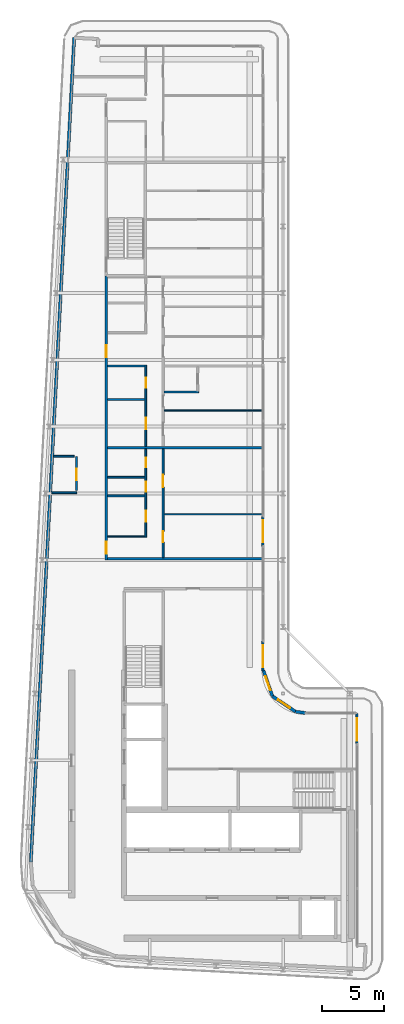
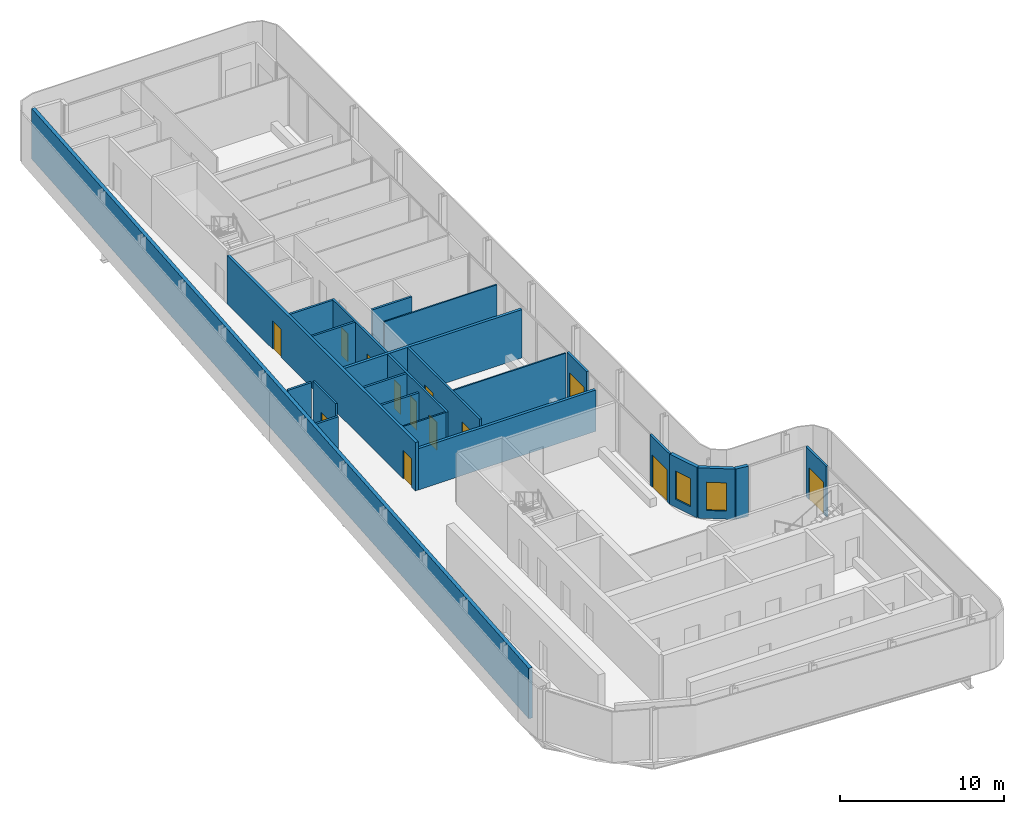
# One storey, part 10 of 18: 24 walls, 13 doors, 2 windows, 15 openings.
"""IFC4 building model written with IfcOpenShell, lengths in metres."""

from ifc_helpers import new_model, si_unit, direction, frame, frame_2d, origin, place, context, subcontext, project, spatial, rectangle, extrude, source, transform, mapped, material, layer, layer_set, type_object, element, fill, save


model = new_model("IFC4")

# Units and contexts
model_context = context("Model", 3, precision=1e-05, world=origin(), true_north=direction((0.0, 1.0)))
body_context = subcontext(model_context, "Body", "Model", "MODEL_VIEW")
ifc_project = project(units=[si_unit("LENGTHUNIT", "METRE"), si_unit("AREAUNIT", "SQUARE_METRE"), si_unit("VOLUMEUNIT", "CUBIC_METRE"), si_unit("PLANEANGLEUNIT", "RADIAN"), si_unit("MASSUNIT", "GRAM", prefix="KILO")], contexts=[model_context])

# Site, building, storey
site_placement = place(None, origin())
site = spatial("IfcSite", under=ifc_project, at=site_placement, CompositionType="ELEMENT")
building_placement = place(site_placement, origin())
building = spatial("IfcBuilding", under=site, at=building_placement, Name="Kheshtan School and Residences Tower", CompositionType="ELEMENT")
storey_placement = place(building_placement, frame((0.0, 0.0, 365.60009765625)))
storey = spatial("IfcBuildingStorey", under=building, at=storey_placement, Name="L86", CompositionType="ELEMENT", Elevation=365.60009765625)

# Wall, openings, doors
ifc_material_1 = material(Name="Gypsum board on steel studs with fire boards", Category="steel")
ifc_layer_1 = layer(ifc_material_1, 0.199951171875)
ifc_layer_set_1 = layer_set([ifc_layer_1], Name="Corridor wall 200")
wall_type_1 = type_object("IfcWallType", Name="Corridor wall 200", PredefinedType="PARTITIONING", material=ifc_layer_set_1)
wall_1_placement = place(storey_placement, frame((33.300048828125, 56.39990234375, 0.0), z_axis=(0.0, 0.0, 1.0), x_axis=(0.0, 1.0, 0.0)))
wall_1 = element("IfcWall", 1, at=wall_1_placement, inside=storey, type_object=wall_type_1, Name="Partition L86-003", PredefinedType="PARTITIONING", context=body_context, shape_type="SweptSolid", body=[
    extrude(rectangle(XDim=22.97509765625, YDim=0.199951171875, at=frame_2d((11.487548828125, 0.0))), origin(), (0.0, 0.0, 1.0), 3.599853515625),
])
opening_1_placement = place(wall_1_placement, frame((0.5, 0.0, 0.0)))
opening_1 = element("IfcOpeningElement", 2, at=opening_1_placement, cuts=wall_1, Name="Opening D85-003", PredefinedType="OPENING", context=body_context, shape_type="SweptSolid", body=[
    extrude(rectangle(XDim=1.0, YDim=2.10009765625, at=frame_2d((0.5, 1.050048828125))), frame((0.0, 0.10986328125, 0.0), z_axis=(0.0, -1.0, 0.0), x_axis=(1.0, 0.0, 0.0)), (0.0, 0.0, 1.0), 0.219970703125),
])
opening_2_placement = place(wall_1_placement, frame((16.39990234375, 0.0, 0.0)))
opening_2 = element("IfcOpeningElement", 3, at=opening_2_placement, cuts=wall_1, Name="Opening D85-012", PredefinedType="OPENING", context=body_context, shape_type="SweptSolid", body=[
    extrude(rectangle(XDim=1.0, YDim=2.10009765625, at=frame_2d((0.5, 1.050048828125))), frame((0.0, 0.10986328125, 0.0), z_axis=(0.0, -1.0, 0.0), x_axis=(1.0, 0.0, 0.0)), (0.0, 0.0, 1.0), 0.219970703125),
])
ifc_material_2 = material(Name="Steel-framed fire-resisting door leaf", Category="steel")
door_type_1 = type_object("IfcDoorType", Name="Fire door FD30S 1000 x 2100", OperationType="SINGLE_SWING_LEFT", PredefinedType="DOOR", material=ifc_material_2)
shared_shape_1 = source(origin(), body_context, "Body", "SweptSolid", [
    extrude(rectangle(XDim=1.0, YDim=2.10009765625, at=frame_2d((0.5, 1.050048828125))), frame((0.0, 0.02490234375, 0.0), z_axis=(0.0, -1.0, 0.0), x_axis=(1.0, 0.0, 0.0)), (0.0, 0.0, 1.0), 0.050048828125),
])
door_1_placement = place(opening_1_placement, origin())
door_1 = element("IfcDoor", 4, at=door_1_placement, inside=storey, type_object=door_type_1, Name="Door D85-003", OperationType="SINGLE_SWING_RIGHT", OverallHeight=2.10009765625, OverallWidth=1.0, PredefinedType="DOOR", context=body_context, shape_type="MappedRepresentation", body=[
    mapped(shared_shape_1, transform((0.0, 0.0, 0.0), x_axis=(1.0, 0.0, 0.0), y_axis=(0.0, 1.0, 0.0), z_axis=(0.0, 0.0, 1.0), scale=1.0)),
])
fill(opening_1, door_1)
door_2_placement = place(opening_2_placement, origin())
door_2 = element("IfcDoor", 5, at=door_2_placement, inside=storey, type_object=door_type_1, Name="Door D85-012", OperationType="SINGLE_SWING_RIGHT", OverallHeight=2.10009765625, OverallWidth=1.0, PredefinedType="DOOR", context=body_context, shape_type="MappedRepresentation", body=[
    mapped(shared_shape_1, transform((0.0, 0.0, 0.0), x_axis=(1.0, 0.0, 0.0), y_axis=(0.0, 1.0, 0.0), z_axis=(0.0, 0.0, 1.0), scale=1.0)),
])
fill(opening_2, door_2)

# Walls
wall_2_placement = place(storey_placement, frame((33.39990234375, 56.5, 0.0), z_axis=(0.0, 0.0, 1.0), x_axis=(1.0, 0.0, 0.0)))
element("IfcWall", 6, at=wall_2_placement, inside=storey, type_object=wall_type_1, Name="Partition L86-005", PredefinedType="PARTITIONING", context=body_context, shape_type="SweptSolid", body=[
    extrude(rectangle(XDim=12.5, YDim=0.199951171875, at=frame_2d((6.25, 0.0))), origin(), (0.0, 0.0, 1.0), 3.072021484375),
])
ifc_material_3 = material(Name="Concrete C40/50 with ceramic cladding and mineral wool insulation", Category="concrete")
ifc_layer_2 = layer(ifc_material_3, 0.25)
ifc_layer_set_2 = layer_set([ifc_layer_2], Name="External wall 250 ceramic clad")
wall_type_2 = type_object("IfcWallType", Name="External wall 250 ceramic clad", PredefinedType="SOLIDWALL", material=ifc_layer_set_2)
wall_3_placement = place(storey_placement, frame((27.195068359375, 31.968994140625, 0.0), z_axis=(0.0, 0.0, 1.0), x_axis=(0.052554995867, 0.998618031286, 0.0)))
element("IfcWall", 7, at=wall_3_placement, inside=storey, type_object=wall_type_2, Name="External wall L86 4", PredefinedType="SOLIDWALL", context=body_context, shape_type="SweptSolid", body=[
    extrude(rectangle(XDim=66.787353515625, YDim=0.25, at=frame_2d((33.3935546875, 0.0))), origin(), (0.0, 0.0, 1.0), 3.75),
])

# Wall, opening, window
wall_4_placement = place(storey_placement, frame((46.01806640625, 47.470947265625, 0.0), z_axis=(0.0, 0.0, 1.0), x_axis=(0.328791208903, -0.944402637093, 0.0)))
wall_4 = element("IfcWall", 8, at=wall_4_placement, inside=storey, type_object=wall_type_2, Name="External wall L86 9", PredefinedType="SOLIDWALL", context=body_context, shape_type="SweptSolid", body=[
    extrude(rectangle(XDim=2.20458984375, YDim=0.25, at=frame_2d((1.102294921875, 0.0))), origin(), (0.0, 0.0, 1.0), 3.75),
])
opening_3_placement = place(wall_4_placement, frame((0.5029296875, 0.0, 0.60009765625)))
opening_3 = element("IfcOpeningElement", 9, at=opening_3_placement, cuts=wall_4, Name="Opening WN-E", PredefinedType="OPENING", context=body_context, shape_type="SweptSolid", body=[
    extrude(rectangle(XDim=1.199951171875, YDim=2.10009765625, at=frame_2d((0.60009765625, 1.050048828125))), frame((0.0, 0.135009765625, 0.0), z_axis=(0.0, -1.0, 0.0), x_axis=(1.0, 0.0, 0.0)), (0.0, 0.0, 1.0), 0.27001953125),
])
ifc_material_4 = material(Name="Clear low-e glass in thermally broken aluminium frame", Category="aluminium")
window_type = type_object("IfcWindowType", Name="Window WN-E", PartitioningType="SINGLE_PANEL", PredefinedType="WINDOW", material=ifc_material_4)
shared_shape_2 = source(origin(), body_context, "Body", "SweptSolid", [
    extrude(rectangle(XDim=1.199951171875, YDim=2.10009765625, at=frame_2d((0.60009765625, 1.050048828125))), frame((0.0, 0.030029296875, 0.0), z_axis=(0.0, -1.0, 0.0), x_axis=(1.0, 0.0, 0.0)), (0.0, 0.0, 1.0), 0.06005859375),
])
window_1_placement = place(opening_3_placement, origin())
window_1 = element("IfcWindow", 10, at=window_1_placement, inside=storey, type_object=window_type, Name="Window L86 9", OverallHeight=2.10009765625, OverallWidth=1.199951171875, PartitioningType="SINGLE_PANEL", PredefinedType="WINDOW", context=body_context, shape_type="MappedRepresentation", body=[
    mapped(shared_shape_2, transform((0.0, 0.0, 0.0), x_axis=(1.0, 0.0, 0.0), y_axis=(0.0, 1.0, 0.0), z_axis=(0.0, 0.0, 1.0), scale=1.0)),
])
fill(opening_3, window_1)

wall_5_placement = place(storey_placement, frame((46.742919921875, 45.388916015625, 0.0), z_axis=(0.0, 0.0, 1.0), x_axis=(0.831449265529, -0.555600682912, 0.0)))
wall_5 = element("IfcWall", 11, at=wall_5_placement, inside=storey, type_object=wall_type_2, Name="External wall L86 10", PredefinedType="SOLIDWALL", context=body_context, shape_type="SweptSolid", body=[
    extrude(rectangle(XDim=2.25146484375, YDim=0.25, at=frame_2d((1.125732421875, 0.0))), origin(), (0.0, 0.0, 1.0), 3.75),
])
opening_4_placement = place(wall_5_placement, frame((0.52490234375, 0.0, 0.60009765625)))
opening_4 = element("IfcOpeningElement", 12, at=opening_4_placement, cuts=wall_5, Name="Opening WN-E", PredefinedType="OPENING", context=body_context, shape_type="SweptSolid", body=[
    extrude(rectangle(XDim=1.199951171875, YDim=2.10009765625, at=frame_2d((0.60009765625, 1.050048828125))), frame((0.0, 0.135009765625, 0.0), z_axis=(0.0, -1.0, 0.0), x_axis=(1.0, 0.0, 0.0)), (0.0, 0.0, 1.0), 0.27001953125),
])
window_2_placement = place(opening_4_placement, origin())
window_2 = element("IfcWindow", 13, at=window_2_placement, inside=storey, type_object=window_type, Name="Window L86 10", OverallHeight=2.10009765625, OverallWidth=1.199951171875, PartitioningType="SINGLE_PANEL", PredefinedType="WINDOW", context=body_context, shape_type="MappedRepresentation", body=[
    mapped(shared_shape_2, transform((0.0, 0.0, 0.0), x_axis=(1.0, 0.0, 0.0), y_axis=(0.0, 1.0, 0.0), z_axis=(0.0, 0.0, 1.0), scale=1.0)),
])
fill(opening_4, window_2)

# Wall
wall_6_placement = place(storey_placement, frame((48.614990234375, 44.137939453125, 0.0), z_axis=(0.0, 0.0, 1.0), x_axis=(0.990741504246, -0.135761819977, 0.0)))
element("IfcWall", 14, at=wall_6_placement, inside=storey, type_object=wall_type_2, Name="External wall L86 11", PredefinedType="SOLIDWALL", context=body_context, shape_type="SweptSolid", body=[
    extrude(rectangle(XDim=0.83984375, YDim=0.25, at=frame_2d((0.419921875, 0.0))), origin(), (0.0, 0.0, 1.0), 3.75),
])

# Wall, opening, door
ifc_material_5 = material(Name="Aluminium frame wall with insulated infill", Category="aluminium")
ifc_layer_3 = layer(ifc_material_5, 0.14990234375)
ifc_layer_set_3 = layer_set([ifc_layer_3], Name="Glazing frame wall 150")
wall_type_3 = type_object("IfcWallType", Name="Glazing frame wall 150", PredefinedType="SOLIDWALL", material=ifc_layer_set_3)
wall_7_placement = place(storey_placement, frame((45.97509765625, 59.924072265625, 0.0), z_axis=(0.0, 0.0, 1.0), x_axis=(0.0, -1.0, 0.0)))
wall_7 = element("IfcWall", 15, at=wall_7_placement, inside=storey, type_object=wall_type_3, Name="Balcony door wall L86 8.4", PredefinedType="SOLIDWALL", context=body_context, shape_type="SweptSolid", body=[
    extrude(rectangle(XDim=2.400146484375, YDim=0.14990234375, at=frame_2d((1.2001953125, 0.0))), origin(), (0.0, 0.0, 1.0), 3.75),
])
opening_5_placement = place(wall_7_placement, frame((0.300048828125, 0.0, 0.0)))
opening_5 = element("IfcOpeningElement", 16, at=opening_5_placement, cuts=wall_7, Name="Opening BD", PredefinedType="OPENING", context=body_context, shape_type="SweptSolid", body=[
    extrude(rectangle(XDim=1.800048828125, YDim=2.39990234375, at=frame_2d((0.89990234375, 1.199951171875))), frame((0.0, 0.0849609375, 0.0), z_axis=(0.0, -1.0, 0.0), x_axis=(1.0, 0.0, 0.0)), (0.0, 0.0, 1.0), 0.169921875),
])
door_type_2 = type_object("IfcDoorType", Name="Balcony sliding door", OperationType="SLIDING_TO_LEFT", PredefinedType="DOOR", material=ifc_material_4)
shared_shape_3 = source(origin(), body_context, "Body", "SweptSolid", [
    extrude(rectangle(XDim=1.800048828125, YDim=2.39990234375, at=frame_2d((0.89990234375, 1.199951171875))), frame((0.0, 0.02490234375, 0.0), z_axis=(0.0, -1.0, 0.0), x_axis=(1.0, 0.0, 0.0)), (0.0, 0.0, 1.0), 0.050048828125),
])
door_3_placement = place(opening_5_placement, origin())
door_3 = element("IfcDoor", 17, at=door_3_placement, inside=storey, type_object=door_type_2, Name="Balcony door L86 8.4", OperationType="SLIDING_TO_LEFT", OverallHeight=2.39990234375, OverallWidth=1.800048828125, PredefinedType="DOOR", context=body_context, shape_type="MappedRepresentation", body=[
    mapped(shared_shape_3, transform((0.0, 0.0, 0.0), x_axis=(1.0, 0.0, 0.0), y_axis=(0.0, 1.0, 0.0), z_axis=(0.0, 0.0, 1.0), scale=1.0)),
])
fill(opening_5, door_3)

wall_8_placement = place(storey_placement, frame((45.97509765625, 49.830078125, 0.0), z_axis=(0.0, 0.0, 1.0), x_axis=(0.0, -1.0, 0.0)))
wall_8 = element("IfcWall", 18, at=wall_8_placement, inside=storey, type_object=wall_type_3, Name="Balcony door wall L86 8.5", PredefinedType="SOLIDWALL", context=body_context, shape_type="SweptSolid", body=[
    extrude(rectangle(XDim=2.400146484375, YDim=0.14990234375, at=frame_2d((1.2001953125, 0.0))), origin(), (0.0, 0.0, 1.0), 3.75),
])
opening_6_placement = place(wall_8_placement, frame((0.300048828125, 0.0, 0.0)))
opening_6 = element("IfcOpeningElement", 19, at=opening_6_placement, cuts=wall_8, Name="Opening BD", PredefinedType="OPENING", context=body_context, shape_type="SweptSolid", body=[
    extrude(rectangle(XDim=1.800048828125, YDim=2.39990234375, at=frame_2d((0.89990234375, 1.199951171875))), frame((0.0, 0.0849609375, 0.0), z_axis=(0.0, -1.0, 0.0), x_axis=(1.0, 0.0, 0.0)), (0.0, 0.0, 1.0), 0.169921875),
])
door_4_placement = place(opening_6_placement, origin())
door_4 = element("IfcDoor", 20, at=door_4_placement, inside=storey, type_object=door_type_2, Name="Balcony door L86 8.5", OperationType="SLIDING_TO_LEFT", OverallHeight=2.39990234375, OverallWidth=1.800048828125, PredefinedType="DOOR", context=body_context, shape_type="MappedRepresentation", body=[
    mapped(shared_shape_3, transform((0.0, 0.0, 0.0), x_axis=(1.0, 0.0, 0.0), y_axis=(0.0, 1.0, 0.0), z_axis=(0.0, 0.0, 1.0), scale=1.0)),
])
fill(opening_6, door_4)

wall_9_placement = place(storey_placement, frame((53.574951171875, 43.970947265625, 0.0), z_axis=(0.0, 0.0, 1.0), x_axis=(0.0, -1.0, 0.0)))
wall_9 = element("IfcWall", 21, at=wall_9_placement, inside=storey, type_object=wall_type_3, Name="Balcony door wall L86 13.1", PredefinedType="SOLIDWALL", context=body_context, shape_type="SweptSolid", body=[
    extrude(rectangle(XDim=2.470947265625, YDim=0.14990234375, at=frame_2d((1.2353515625, 0.0))), origin(), (0.0, 0.0, 1.0), 3.75),
])
opening_7_placement = place(wall_9_placement, frame((0.37109375, 0.0, 0.0)))
opening_7 = element("IfcOpeningElement", 22, at=opening_7_placement, cuts=wall_9, Name="Opening BD", PredefinedType="OPENING", context=body_context, shape_type="SweptSolid", body=[
    extrude(rectangle(XDim=1.800048828125, YDim=2.39990234375, at=frame_2d((0.89990234375, 1.199951171875))), frame((0.0, 0.0849609375, 0.0), z_axis=(0.0, -1.0, 0.0), x_axis=(1.0, 0.0, 0.0)), (0.0, 0.0, 1.0), 0.169921875),
])
door_5_placement = place(opening_7_placement, origin())
door_5 = element("IfcDoor", 23, at=door_5_placement, inside=storey, type_object=door_type_2, Name="Balcony door L86 13.1", OperationType="SLIDING_TO_LEFT", OverallHeight=2.39990234375, OverallWidth=1.800048828125, PredefinedType="DOOR", context=body_context, shape_type="MappedRepresentation", body=[
    mapped(shared_shape_3, transform((0.0, 0.0, 0.0), x_axis=(1.0, 0.0, 0.0), y_axis=(0.0, 1.0, 0.0), z_axis=(0.0, 0.0, 1.0), scale=1.0)),
])
fill(opening_7, door_5)

# Walls
ifc_material_6 = material(Name="Gypsum board on steel studs", Category="steel")
ifc_layer_4 = layer(ifc_material_6, 0.10009765625)
ifc_layer_set_4 = layer_set([ifc_layer_4], Name="Gypsum partition 100")
wall_type_4 = type_object("IfcWallType", Name="Gypsum partition 100", PredefinedType="PARTITIONING", material=ifc_layer_set_4)
wall_10_placement = place(storey_placement, frame((33.39990234375, 58.300048828125, 0.0), z_axis=(0.0, 0.0, 1.0), x_axis=(1.0, 0.0, 0.0)))
element("IfcWall", 24, at=wall_10_placement, inside=storey, type_object=wall_type_4, Name="Partition L86-006", PredefinedType="PARTITIONING", context=body_context, shape_type="SweptSolid", body=[
    extrude(rectangle(XDim=3.025146484375, YDim=0.10009765625, at=frame_2d((1.5126953125, 0.0))), origin(), (0.0, 0.0, 1.0), 3.599853515625),
])
for number, where, z_axis, x_axis, name in (
    (25, (37.97509765625, 60.10009765625, 0.0), (0.0, 0.0, 1.0), (1.0, 0.0, 0.0), "Partition L86-031"),
    (26, (37.97509765625, 68.5, 0.0), (0.0, 0.0, 1.0), (1.0, 0.0, 0.0), "Partition L86-032"),
):
    element("IfcWall", number, at=place(storey_placement, frame(where, z_axis=z_axis, x_axis=x_axis)), inside=storey, type_object=wall_type_4, Name=name, PredefinedType="PARTITIONING", context=body_context, shape_type="SweptSolid", body=[
        extrude(rectangle(XDim=7.9248046875, YDim=0.10009765625, at=frame_2d((3.96240234375, 0.0))), origin(), (0.0, 0.0, 1.0), 3.599853515625),
    ])
ifc_material_7 = material(Name="Fire-board shaft wall system")
ifc_layer_5 = layer(ifc_material_7, 0.14990234375)
ifc_layer_set_5 = layer_set([ifc_layer_5], Name="Service room wall 150")
wall_type_5 = type_object("IfcWallType", Name="Service room wall 150", PredefinedType="PARTITIONING", material=ifc_layer_set_5)
wall_11_placement = place(storey_placement, frame((28.89501953125, 61.85107421875, 0.0), z_axis=(0.0, 0.0, 1.0), x_axis=(1.0, 0.0, 0.0)))
element("IfcWall", 27, at=wall_11_placement, inside=storey, type_object=wall_type_5, Name="Service room wall", PredefinedType="PARTITIONING", context=body_context, shape_type="SweptSolid", body=[
    extrude(rectangle(XDim=2.0048828125, YDim=0.14990234375, at=frame_2d((1.00244140625, 0.0))), origin(), (0.0, 0.0, 1.0), 3.072021484375),
])

# Wall, opening, door
wall_12_placement = place(storey_placement, frame((30.89990234375, 62.0458984375, 0.0), z_axis=(0.0, 0.0, 1.0), x_axis=(0.0, 1.0, 0.0)))
wall_12 = element("IfcWall", 28, at=wall_12_placement, inside=storey, type_object=wall_type_5, Name="Service room wall", PredefinedType="PARTITIONING", context=body_context, shape_type="SweptSolid", body=[
    extrude(rectangle(XDim=2.754150390625, YDim=0.14990234375, at=frame_2d((1.376953125, 0.0))), origin(), (0.0, 0.0, 1.0), 3.89990234375),
])
opening_8_placement = place(wall_12_placement, frame((0.830078125, 0.0, 0.0)))
opening_8 = element("IfcOpeningElement", 29, at=opening_8_placement, cuts=wall_12, Name="Opening SR90", PredefinedType="OPENING", context=body_context, shape_type="SweptSolid", body=[
    extrude(rectangle(XDim=0.89990234375, YDim=2.199951171875, at=frame_2d((0.449951171875, 1.10009765625))), frame((0.0, 0.0849609375, 0.0), z_axis=(0.0, -1.0, 0.0), x_axis=(1.0, 0.0, 0.0)), (0.0, 0.0, 1.0), 0.169921875),
])
ifc_material_8 = material(Name="Steel door leaf, galvanised", Category="steel")
door_type_3 = type_object("IfcDoorType", Name="Service room door 900 steel 90 min", OperationType="SINGLE_SWING_LEFT", PredefinedType="DOOR", material=ifc_material_8)
shared_shape_4 = source(origin(), body_context, "Body", "SweptSolid", [
    extrude(rectangle(XDim=0.89990234375, YDim=2.199951171875, at=frame_2d((0.449951171875, 1.10009765625))), frame((0.0, 0.02490234375, 0.0), z_axis=(0.0, -1.0, 0.0), x_axis=(1.0, 0.0, 0.0)), (0.0, 0.0, 1.0), 0.050048828125),
])
door_6_placement = place(opening_8_placement, origin())
door_6 = element("IfcDoor", 30, at=door_6_placement, inside=storey, type_object=door_type_3, Name="Service room door", OperationType="SINGLE_SWING_LEFT", OverallHeight=2.199951171875, OverallWidth=0.89990234375, PredefinedType="DOOR", context=body_context, shape_type="MappedRepresentation", body=[
    mapped(shared_shape_4, transform((0.0, 0.0, 0.0), x_axis=(1.0, 0.0, 0.0), y_axis=(0.0, 1.0, 0.0), z_axis=(0.0, 0.0, 1.0), scale=1.0)),
])
fill(opening_8, door_6)

# Walls
wall_13_placement = place(storey_placement, frame((29.050048828125, 64.800048828125, 0.0), z_axis=(0.0, 0.0, 1.0), x_axis=(1.0, 0.0, 0.0)))
element("IfcWall", 31, at=wall_13_placement, inside=storey, type_object=wall_type_5, Name="Service room wall", PredefinedType="PARTITIONING", context=body_context, shape_type="SweptSolid", body=[
    extrude(rectangle(XDim=1.655029296875, YDim=0.14990234375, at=frame_2d((0.82763671875, 0.0))), origin(), (0.0, 0.0, 1.0), 3.89990234375),
])
ifc_material_9 = material(Name="Twin gypsum board on steel studs with mineral wool", Category="steel")
ifc_layer_6 = layer(ifc_material_9, 0.199951171875)
ifc_layer_set_6 = layer_set([ifc_layer_6], Name="Unit demising wall 200")
wall_type_6 = type_object("IfcWallType", Name="Unit demising wall 200", PredefinedType="PARTITIONING", material=ifc_layer_set_6)
wall_14_placement = place(storey_placement, frame((33.39990234375, 65.5, 0.0), z_axis=(0.0, 0.0, 1.0), x_axis=(1.0, 0.0, 0.0)))
element("IfcWall", 32, at=wall_14_placement, inside=storey, type_object=wall_type_6, Name="Partition L86-009", PredefinedType="PARTITIONING", context=body_context, shape_type="SweptSolid", body=[
    extrude(rectangle(XDim=12.5, YDim=0.199951171875, at=frame_2d((6.25, 0.0))), origin(), (0.0, 0.0, 1.0), 3.599853515625),
])
ifc_material_10 = material(Name="Moisture-resistant gypsum board on steel studs", Category="steel")
ifc_layer_7 = layer(ifc_material_10, 0.14990234375)
ifc_layer_set_7 = layer_set([ifc_layer_7], Name="Wet-room partition 150")
wall_type_7 = type_object("IfcWallType", Name="Wet-room partition 150", PredefinedType="PARTITIONING", material=ifc_layer_set_7)
wall_15_placement = place(storey_placement, frame((33.39990234375, 61.60009765625, 0.0), z_axis=(0.0, 0.0, 1.0), x_axis=(1.0, 0.0, 0.0)))
element("IfcWall", 33, at=wall_15_placement, inside=storey, type_object=wall_type_7, Name="Partition L86-007", PredefinedType="PARTITIONING", context=body_context, shape_type="SweptSolid", body=[
    extrude(rectangle(XDim=3.025146484375, YDim=0.14990234375, at=frame_2d((1.5126953125, 0.0))), origin(), (0.0, 0.0, 1.0), 3.072021484375),
])
for number, where, z_axis, x_axis, name in (
    (34, (33.39990234375, 63.10009765625, 0.0), (0.0, 0.0, 1.0), (1.0, 0.0, 0.0), "Partition L86-008"),
    (35, (33.39990234375, 69.39990234375, 0.0), (0.0, 0.0, 1.0), (1.0, 0.0, 0.0), "Partition L86-010"),
    (36, (33.39990234375, 72.10009765625, 0.0), (0.0, 0.0, 1.0), (1.0, 0.0, 0.0), "Partition L86-011"),
):
    element("IfcWall", number, at=place(storey_placement, frame(where, z_axis=z_axis, x_axis=x_axis)), inside=storey, type_object=wall_type_7, Name=name, PredefinedType="PARTITIONING", context=body_context, shape_type="SweptSolid", body=[
        extrude(rectangle(XDim=3.025146484375, YDim=0.14990234375, at=frame_2d((1.5126953125, 0.0))), origin(), (0.0, 0.0, 1.0), 3.599853515625),
    ])

# Wall, openings, doors
wall_16_placement = place(storey_placement, frame((36.5, 58.25, 0.0), z_axis=(0.0, 0.0, 1.0), x_axis=(0.0, 1.0, 0.0)))
wall_16 = element("IfcWall", 37, at=wall_16_placement, inside=storey, type_object=wall_type_7, Name="Partition L86-019", PredefinedType="PARTITIONING", context=body_context, shape_type="SweptSolid", body=[
    extrude(rectangle(XDim=7.14990234375, YDim=0.14990234375, at=frame_2d((3.574951171875, 0.0))), origin(), (0.0, 0.0, 1.0), 3.599853515625),
])
opening_9_placement = place(wall_16_placement, frame((5.64990234375, 0.0, 0.0)))
opening_9 = element("IfcOpeningElement", 38, at=opening_9_placement, cuts=wall_16, Name="Opening D85-001", PredefinedType="OPENING", context=body_context, shape_type="SweptSolid", body=[
    extrude(rectangle(XDim=0.800048828125, YDim=2.10009765625, at=frame_2d((0.39990234375, 1.050048828125))), frame((0.0, 0.0849609375, 0.0), z_axis=(0.0, -1.0, 0.0), x_axis=(1.0, 0.0, 0.0)), (0.0, 0.0, 1.0), 0.169921875),
])
opening_10_placement = place(wall_16_placement, frame((1.25, 0.0, 0.0)))
opening_10 = element("IfcOpeningElement", 39, at=opening_10_placement, cuts=wall_16, Name="Opening D85-004", PredefinedType="OPENING", context=body_context, shape_type="SweptSolid", body=[
    extrude(rectangle(XDim=0.89990234375, YDim=2.10009765625, at=frame_2d((0.449951171875, 1.050048828125))), frame((0.0, 0.0849609375, 0.0), z_axis=(0.0, -1.0, 0.0), x_axis=(1.0, 0.0, 0.0)), (0.0, 0.0, 1.0), 0.169921875),
])
opening_11_placement = place(wall_16_placement, frame((3.699951171875, 0.0, 0.0)))
opening_11 = element("IfcOpeningElement", 40, at=opening_11_placement, cuts=wall_16, Name="Opening D85-006", PredefinedType="OPENING", context=body_context, shape_type="SweptSolid", body=[
    extrude(rectangle(XDim=0.800048828125, YDim=2.10009765625, at=frame_2d((0.39990234375, 1.050048828125))), frame((0.0, 0.0849609375, 0.0), z_axis=(0.0, -1.0, 0.0), x_axis=(1.0, 0.0, 0.0)), (0.0, 0.0, 1.0), 0.169921875),
])
ifc_material_11 = material(Name="Veneered timber door leaf", Category="wood")
door_type_4 = type_object("IfcDoorType", Name="Door 800 x 2100", OperationType="SINGLE_SWING_LEFT", PredefinedType="DOOR", material=ifc_material_11)
shared_shape_5 = source(origin(), body_context, "Body", "SweptSolid", [
    extrude(rectangle(XDim=0.800048828125, YDim=2.10009765625, at=frame_2d((0.39990234375, 1.050048828125))), frame((0.0, 0.02490234375, 0.0), z_axis=(0.0, -1.0, 0.0), x_axis=(1.0, 0.0, 0.0)), (0.0, 0.0, 1.0), 0.050048828125),
])
door_7_placement = place(opening_9_placement, origin())
door_7 = element("IfcDoor", 41, at=door_7_placement, inside=storey, type_object=door_type_4, Name="Door D85-001", OperationType="SINGLE_SWING_RIGHT", OverallHeight=2.10009765625, OverallWidth=0.800048828125, PredefinedType="DOOR", context=body_context, shape_type="MappedRepresentation", body=[
    mapped(shared_shape_5, transform((0.0, 0.0, 0.0), x_axis=(1.0, 0.0, 0.0), y_axis=(0.0, 1.0, 0.0), z_axis=(0.0, 0.0, 1.0), scale=1.0)),
])
fill(opening_9, door_7)
door_8_placement = place(opening_11_placement, origin())
door_8 = element("IfcDoor", 42, at=door_8_placement, inside=storey, type_object=door_type_4, Name="Door D85-006", OperationType="SINGLE_SWING_LEFT", OverallHeight=2.10009765625, OverallWidth=0.800048828125, PredefinedType="DOOR", context=body_context, shape_type="MappedRepresentation", body=[
    mapped(shared_shape_5, transform((0.0, 0.0, 0.0), x_axis=(1.0, 0.0, 0.0), y_axis=(0.0, 1.0, 0.0), z_axis=(0.0, 0.0, 1.0), scale=1.0)),
])
fill(opening_11, door_8)
door_type_5 = type_object("IfcDoorType", Name="Door 900 x 2100", OperationType="SINGLE_SWING_LEFT", PredefinedType="DOOR", material=ifc_material_11)
shared_shape_6 = source(origin(), body_context, "Body", "SweptSolid", [
    extrude(rectangle(XDim=0.89990234375, YDim=2.10009765625, at=frame_2d((0.449951171875, 1.050048828125))), frame((0.0, 0.02490234375, 0.0), z_axis=(0.0, -1.0, 0.0), x_axis=(1.0, 0.0, 0.0)), (0.0, 0.0, 1.0), 0.050048828125),
])
door_9_placement = place(opening_10_placement, origin())
door_9 = element("IfcDoor", 43, at=door_9_placement, inside=storey, type_object=door_type_5, Name="Door D85-004", OperationType="SINGLE_SWING_RIGHT", OverallHeight=2.10009765625, OverallWidth=0.89990234375, PredefinedType="DOOR", context=body_context, shape_type="MappedRepresentation", body=[
    mapped(shared_shape_6, transform((0.0, 0.0, 0.0), x_axis=(1.0, 0.0, 0.0), y_axis=(0.0, 1.0, 0.0), z_axis=(0.0, 0.0, 1.0), scale=1.0)),
])
fill(opening_10, door_9)

wall_17_placement = place(storey_placement, frame((36.5, 65.60009765625, 0.0), z_axis=(0.0, 0.0, 1.0), x_axis=(0.0, 1.0, 0.0)))
wall_17 = element("IfcWall", 44, at=wall_17_placement, inside=storey, type_object=wall_type_7, Name="Partition L86-020", PredefinedType="PARTITIONING", context=body_context, shape_type="SweptSolid", body=[
    extrude(rectangle(XDim=6.574951171875, YDim=0.14990234375, at=frame_2d((3.28759765625, 0.0))), origin(), (0.0, 0.0, 1.0), 3.599853515625),
])
opening_12_placement = place(wall_17_placement, frame((4.75, 0.0, 0.0)))
opening_12 = element("IfcOpeningElement", 45, at=opening_12_placement, cuts=wall_17, Name="Opening D85-007", PredefinedType="OPENING", context=body_context, shape_type="SweptSolid", body=[
    extrude(rectangle(XDim=0.800048828125, YDim=2.10009765625, at=frame_2d((0.39990234375, 1.050048828125))), frame((0.0, 0.0849609375, 0.0), z_axis=(0.0, -1.0, 0.0), x_axis=(1.0, 0.0, 0.0)), (0.0, 0.0, 1.0), 0.169921875),
])
opening_13_placement = place(wall_17_placement, frame((1.39990234375, 0.0, 0.0)))
opening_13 = element("IfcOpeningElement", 46, at=opening_13_placement, cuts=wall_17, Name="Opening D85-013", PredefinedType="OPENING", context=body_context, shape_type="SweptSolid", body=[
    extrude(rectangle(XDim=0.89990234375, YDim=2.10009765625, at=frame_2d((0.449951171875, 1.050048828125))), frame((0.0, 0.0849609375, 0.0), z_axis=(0.0, -1.0, 0.0), x_axis=(1.0, 0.0, 0.0)), (0.0, 0.0, 1.0), 0.169921875),
])
door_10_placement = place(opening_12_placement, origin())
door_10 = element("IfcDoor", 47, at=door_10_placement, inside=storey, type_object=door_type_4, Name="Door D85-007", OperationType="SINGLE_SWING_RIGHT", OverallHeight=2.10009765625, OverallWidth=0.800048828125, PredefinedType="DOOR", context=body_context, shape_type="MappedRepresentation", body=[
    mapped(shared_shape_5, transform((0.0, 0.0, 0.0), x_axis=(1.0, 0.0, 0.0), y_axis=(0.0, 1.0, 0.0), z_axis=(0.0, 0.0, 1.0), scale=1.0)),
])
fill(opening_12, door_10)
door_11_placement = place(opening_13_placement, origin())
door_11 = element("IfcDoor", 48, at=door_11_placement, inside=storey, type_object=door_type_5, Name="Door D85-013", OperationType="SINGLE_SWING_RIGHT", OverallHeight=2.10009765625, OverallWidth=0.89990234375, PredefinedType="DOOR", context=body_context, shape_type="MappedRepresentation", body=[
    mapped(shared_shape_6, transform((0.0, 0.0, 0.0), x_axis=(1.0, 0.0, 0.0), y_axis=(0.0, 1.0, 0.0), z_axis=(0.0, 0.0, 1.0), scale=1.0)),
])
fill(opening_13, door_11)

wall_18_placement = place(storey_placement, frame((37.89990234375, 56.60009765625, 0.0), z_axis=(0.0, 0.0, 1.0), x_axis=(0.0, 1.0, 0.0)))
wall_18 = element("IfcWall", 49, at=wall_18_placement, inside=storey, type_object=wall_type_7, Name="Partition L86-027", PredefinedType="PARTITIONING", context=body_context, shape_type="SweptSolid", body=[
    extrude(rectangle(XDim=8.7998046875, YDim=0.14990234375, at=frame_2d((4.39990234375, 0.0))), origin(), (0.0, 0.0, 1.0), 3.599853515625),
])
opening_14_placement = place(wall_18_placement, frame((1.25, 0.0, 0.0)))
opening_14 = element("IfcOpeningElement", 50, at=opening_14_placement, cuts=wall_18, Name="Opening D85-002", PredefinedType="OPENING", context=body_context, shape_type="SweptSolid", body=[
    extrude(rectangle(XDim=0.89990234375, YDim=2.10009765625, at=frame_2d((0.449951171875, 1.050048828125))), frame((0.0, 0.0849609375, 0.0), z_axis=(0.0, -1.0, 0.0), x_axis=(1.0, 0.0, 0.0)), (0.0, 0.0, 1.0), 0.169921875),
])
opening_15_placement = place(wall_18_placement, frame((5.699951171875, 0.0, 0.0)))
opening_15 = element("IfcOpeningElement", 51, at=opening_15_placement, cuts=wall_18, Name="Opening D85-005", PredefinedType="OPENING", context=body_context, shape_type="SweptSolid", body=[
    extrude(rectangle(XDim=1.0, YDim=2.10009765625, at=frame_2d((0.5, 1.050048828125))), frame((0.0, 0.0849609375, 0.0), z_axis=(0.0, -1.0, 0.0), x_axis=(1.0, 0.0, 0.0)), (0.0, 0.0, 1.0), 0.169921875),
])
door_type_6 = type_object("IfcDoorType", Name="Door 1000 x 2100", OperationType="SINGLE_SWING_LEFT", PredefinedType="DOOR", material=ifc_material_11)
shared_shape_7 = source(origin(), body_context, "Body", "SweptSolid", [
    extrude(rectangle(XDim=1.0, YDim=2.10009765625, at=frame_2d((0.5, 1.050048828125))), frame((0.0, 0.02490234375, 0.0), z_axis=(0.0, -1.0, 0.0), x_axis=(1.0, 0.0, 0.0)), (0.0, 0.0, 1.0), 0.050048828125),
])
door_12_placement = place(opening_15_placement, origin())
door_12 = element("IfcDoor", 52, at=door_12_placement, inside=storey, type_object=door_type_6, Name="Door D85-005", OperationType="SINGLE_SWING_LEFT", OverallHeight=2.10009765625, OverallWidth=1.0, PredefinedType="DOOR", context=body_context, shape_type="MappedRepresentation", body=[
    mapped(shared_shape_7, transform((0.0, 0.0, 0.0), x_axis=(1.0, 0.0, 0.0), y_axis=(0.0, 1.0, 0.0), z_axis=(0.0, 0.0, 1.0), scale=1.0)),
])
fill(opening_15, door_12)
door_13_placement = place(opening_14_placement, origin())
door_13 = element("IfcDoor", 53, at=door_13_placement, inside=storey, type_object=door_type_5, Name="Door D85-002", OperationType="SINGLE_SWING_LEFT", OverallHeight=2.10009765625, OverallWidth=0.89990234375, PredefinedType="DOOR", context=body_context, shape_type="MappedRepresentation", body=[
    mapped(shared_shape_6, transform((0.0, 0.0, 0.0), x_axis=(1.0, 0.0, 0.0), y_axis=(0.0, 1.0, 0.0), z_axis=(0.0, 0.0, 1.0), scale=1.0)),
])
fill(opening_14, door_13)

# Wall
wall_19_placement = place(storey_placement, frame((37.97509765625, 70.0, 0.0), z_axis=(0.0, 0.0, 1.0), x_axis=(1.0, 0.0, 0.0)))
element("IfcWall", 54, at=wall_19_placement, inside=storey, type_object=wall_type_7, Name="Partition L86-033", PredefinedType="PARTITIONING", context=body_context, shape_type="SweptSolid", body=[
    extrude(rectangle(XDim=2.7998046875, YDim=0.14990234375, at=frame_2d((1.39990234375, 0.0))), origin(), (0.0, 0.0, 1.0), 3.599853515625),
])

save(model, "model.ifc")
